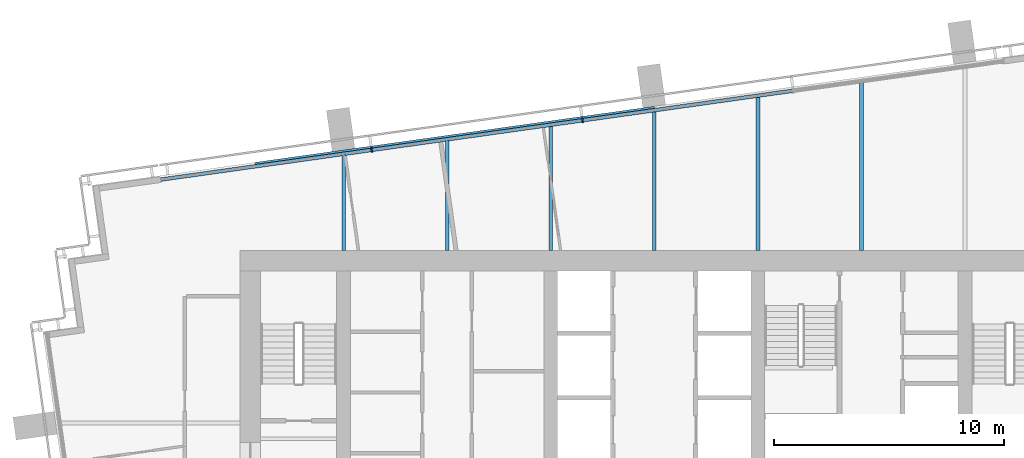
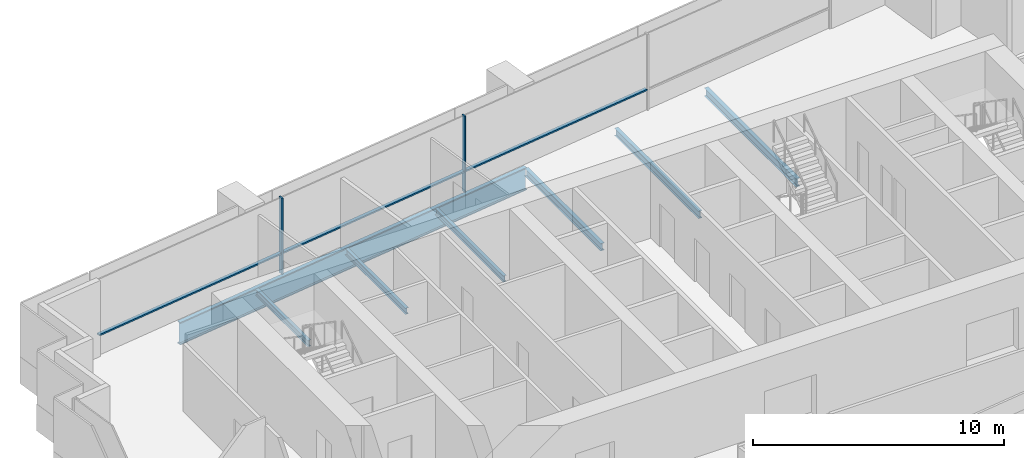
# One storey, part 5 of 15: 7 beams, 5 members, 1 element without a shape of its own.
"""IFC4 building model written with IfcOpenShell, lengths in metres."""

from ifc_helpers import new_model, si_unit, direction, frame, origin, origin_2d, place, context, subcontext, project, spatial, rectangle, i_section, extrude, material, layer, layer_set, material_profile, profile_set, type_object, element, aggregate, save


model = new_model("IFC4")

# Units and contexts
model_context = context("Model", 3, precision=1e-05, world=origin(), true_north=direction((0.0, 1.0)))
body_context = subcontext(model_context, "Body", "Model", "MODEL_VIEW")
ifc_project = project(units=[si_unit("LENGTHUNIT", "METRE"), si_unit("AREAUNIT", "SQUARE_METRE"), si_unit("VOLUMEUNIT", "CUBIC_METRE"), si_unit("PLANEANGLEUNIT", "RADIAN"), si_unit("MASSUNIT", "GRAM", prefix="KILO")], contexts=[model_context])

# Site, building, storey
site_placement = place(None, origin())
site = spatial("IfcSite", under=ifc_project, at=site_placement, CompositionType="ELEMENT")
building_placement = place(site_placement, origin())
building = spatial("IfcBuilding", under=site, at=building_placement, Name="Rattan Terrace Tower", CompositionType="ELEMENT")
storey_placement = place(building_placement, frame((0.0, 0.0, 262.89990234375)))
storey = spatial("IfcBuildingStorey", under=building, at=storey_placement, Name="L60", CompositionType="ELEMENT", Elevation=262.89990234375)

# Beams
ifc_material_1 = material(Name="Steel S460", Category="steel")
ifc_material_profile_1 = material_profile(ifc_material_1, i_section(OverallWidth=0.179931640625, OverallDepth=1.10009765625, WebThickness=0.01611328125, FlangeThickness=0.050048828125, at=origin_2d()), Name="PG 1100x180-16-50")
ifc_profile_set_1 = profile_set([ifc_material_profile_1], Name="Steel S460")
beam_type_1 = type_object("IfcBeamType", Name="Frame edge girder PG 1100x180-16-50", PredefinedType="SPANDREL", material=ifc_profile_set_1)
beam_1_placement = place(storey_placement, frame((-17.347900390625, 11.22900390625, -0.75), z_axis=(0.990275473288, 0.139120404699, 0.0), x_axis=(-0.139120404699, 0.990275473288, 0.0)))
element("IfcBeam", 1, at=beam_1_placement, inside=storey, type_object=beam_type_1, Name="gdr-L60-005", PredefinedType="SPANDREL", context=body_context, shape_type="SweptSolid", body=[
    extrude(i_section(OverallWidth=0.179931640625, OverallDepth=1.10009765625, WebThickness=0.01611328125, FlangeThickness=0.050048828125, at=origin_2d()), origin(), (0.0, 0.0, 1.0), 17.53125),
])
ifc_material_2 = material(Name="Steel S355", Category="steel")
ifc_material_profile_2 = material_profile(ifc_material_2, i_section(OverallWidth=0.14990234375, OverallDepth=0.300048828125, WebThickness=0.007080078125, FlangeThickness=0.0107421875, FilletRadius=0.014892578125, at=origin_2d()), Name="IPE 300")
ifc_profile_set_2 = profile_set([ifc_material_profile_2], Name="Steel S355")
beam_type_2 = type_object("IfcBeamType", Name="Frame floor beam IPE 300", PredefinedType="JOIST", material=ifc_profile_set_2)
beam_2_placement = place(storey_placement, frame((-13.5, 7.5, -0.349853515625), z_axis=(0.0, 1.0, 0.0), x_axis=(-1.0, 0.0, 0.0)))
element("IfcBeam", 2, at=beam_2_placement, inside=storey, type_object=beam_type_2, Name="bm-L60-015", PredefinedType="JOIST", context=body_context, shape_type="SweptSolid", body=[
    extrude(i_section(OverallWidth=0.14990234375, OverallDepth=0.300048828125, WebThickness=0.007080078125, FlangeThickness=0.0107421875, FilletRadius=0.014892578125, at=origin_2d()), origin(), (0.0, 0.0, 1.0), 4.16796875),
])
beam_3_placement = place(storey_placement, frame((-9.0, 7.5, -0.349853515625), z_axis=(0.0, 1.0, 0.0), x_axis=(-1.0, 0.0, 0.0)))
element("IfcBeam", 3, at=beam_3_placement, inside=storey, type_object=beam_type_2, Name="bm-L60-016", PredefinedType="JOIST", context=body_context, shape_type="SweptSolid", body=[
    extrude(i_section(OverallWidth=0.14990234375, OverallDepth=0.300048828125, WebThickness=0.007080078125, FlangeThickness=0.0107421875, FilletRadius=0.014892578125, at=origin_2d()), origin(), (0.0, 0.0, 1.0), 4.800048828125),
])
beam_4_placement = place(storey_placement, frame((-4.5, 7.5, -0.349853515625), z_axis=(0.0, 1.0, 0.0), x_axis=(-1.0, 0.0, 0.0)))
element("IfcBeam", 4, at=beam_4_placement, inside=storey, type_object=beam_type_2, Name="bm-L60-017", PredefinedType="JOIST", context=body_context, shape_type="SweptSolid", body=[
    extrude(i_section(OverallWidth=0.14990234375, OverallDepth=0.300048828125, WebThickness=0.007080078125, FlangeThickness=0.0107421875, FilletRadius=0.014892578125, at=origin_2d()), origin(), (0.0, 0.0, 1.0), 5.43310546875),
])
ifc_material_3 = material(Name="Steel S355", Category="steel")
ifc_material_profile_3 = material_profile(ifc_material_3, i_section(OverallWidth=0.169921875, OverallDepth=0.360107421875, WebThickness=0.008056640625, FlangeThickness=0.0126953125, FilletRadius=0.01806640625, at=origin_2d()), Name="IPE 360")
ifc_profile_set_3 = profile_set([ifc_material_profile_3], Name="Steel S355")
beam_type_3 = type_object("IfcBeamType", Name="Frame floor beam IPE 360", PredefinedType="JOIST", material=ifc_profile_set_3)
beam_5_placement = place(storey_placement, frame((0.0, 7.5, -0.3798828125), z_axis=(0.0, 1.0, 0.0), x_axis=(-1.0, 0.0, 0.0)))
element("IfcBeam", 5, at=beam_5_placement, inside=storey, type_object=beam_type_3, Name="bm-L60-018", PredefinedType="JOIST", context=body_context, shape_type="SweptSolid", body=[
    extrude(i_section(OverallWidth=0.169921875, OverallDepth=0.360107421875, WebThickness=0.008056640625, FlangeThickness=0.0126953125, FilletRadius=0.01806640625, at=origin_2d()), origin(), (0.0, 0.0, 1.0), 6.06298828125),
])
beam_6_placement = place(storey_placement, frame((4.5, 7.5, -0.3798828125), z_axis=(0.0, 1.0, 0.0), x_axis=(-1.0, 0.0, 0.0)))
element("IfcBeam", 6, at=beam_6_placement, inside=storey, type_object=beam_type_3, Name="bm-L60-019", PredefinedType="JOIST", context=body_context, shape_type="SweptSolid", body=[
    extrude(i_section(OverallWidth=0.169921875, OverallDepth=0.360107421875, WebThickness=0.008056640625, FlangeThickness=0.0126953125, FilletRadius=0.01806640625, at=origin_2d()), origin(), (0.0, 0.0, 1.0), 6.696044921875),
])
ifc_material_4 = material(Name="Steel S355", Category="steel")
ifc_material_profile_4 = material_profile(ifc_material_4, i_section(OverallWidth=0.179931640625, OverallDepth=0.39990234375, WebThickness=0.008544921875, FlangeThickness=0.013427734375, FilletRadius=0.02099609375, at=origin_2d()), Name="IPE 400")
ifc_profile_set_4 = profile_set([ifc_material_profile_4], Name="Steel S355")
beam_type_4 = type_object("IfcBeamType", Name="Frame floor beam IPE 400", PredefinedType="JOIST", material=ifc_profile_set_4)
beam_7_placement = place(storey_placement, frame((9.0, 7.5, -0.39990234375), z_axis=(0.0, 1.0, 0.0), x_axis=(-1.0, 0.0, 0.0)))
element("IfcBeam", 7, at=beam_7_placement, inside=storey, type_object=beam_type_4, Name="bm-L60-020", PredefinedType="JOIST", context=body_context, shape_type="SweptSolid", body=[
    extrude(i_section(OverallWidth=0.179931640625, OverallDepth=0.39990234375, WebThickness=0.008544921875, FlangeThickness=0.013427734375, FilletRadius=0.02099609375, at=origin_2d()), origin(), (0.0, 0.0, 1.0), 7.327880859375),
])

# Curtain wall, members
ifc_material_5 = material(Name="Aluminium and laminated glass", Category="aluminium")
ifc_layer = layer(ifc_material_5, 0.199951171875)
ifc_layer_set = layer_set([ifc_layer], Name="High-Zone Unitised Curtain Wall")
curtain_wall_type = type_object("IfcCurtainWallType", Name="High-Zone Unitised Curtain Wall", PredefinedType="NOTDEFINED", material=ifc_layer_set)
curtain_wall_placement = place(storey_placement, origin())
curtain_wall = element("IfcCurtainWall", 8, at=curtain_wall_placement, inside=storey, type_object=curtain_wall_type, Name="High-zone curtain wall L60-2", PredefinedType="NOTDEFINED")
ifc_material_6 = material(Name="Aluminium", Category="aluminium")
ifc_material_profile_5 = material_profile(ifc_material_6, rectangle(XDim=0.070068359375, YDim=0.199951171875, at=origin_2d()), Name="Aluminium 70x200")
ifc_profile_set_5 = profile_set([ifc_material_profile_5], Name="Aluminium")
member_type_1 = type_object("IfcMemberType", Name="High-Zone CW Mullion 70x200", PredefinedType="MULLION", material=ifc_profile_set_5)
member_1_placement = place(storey_placement, frame((-3.1181640625, 13.14697265625, 0.0), z_axis=(0.0, 0.0, 1.0), x_axis=(-0.990265894013, -0.139188574079, 0.0)))
member_1 = element("IfcMember", 9, at=member_1_placement, type_object=member_type_1, Name="Mullion cwl-L60-002.3", PredefinedType="MULLION", context=body_context, shape_type="SweptSolid", body=[
    extrude(rectangle(XDim=0.070068359375, YDim=0.199951171875, at=origin_2d()), origin(), (0.0, 0.0, 1.0), 3.7001953125),
])
member_2_placement = place(storey_placement, frame((-12.27734375, 11.859619140625, 0.0), z_axis=(0.0, 0.0, 1.0), x_axis=(-0.990265894013, -0.139188574079, 0.0)))
member_2 = element("IfcMember", 10, at=member_2_placement, type_object=member_type_1, Name="Mullion cwl-L60-002.4", PredefinedType="MULLION", context=body_context, shape_type="SweptSolid", body=[
    extrude(rectangle(XDim=0.070068359375, YDim=0.199951171875, at=origin_2d()), origin(), (0.0, 0.0, 1.0), 3.7001953125),
])
ifc_material_7 = material(Name="Aluminium", Category="aluminium")
ifc_material_profile_6 = material_profile(ifc_material_7, rectangle(XDim=0.159912109375, YDim=0.070068359375, at=origin_2d()), Name="Aluminium 160x70")
ifc_profile_set_6 = profile_set([ifc_material_profile_6], Name="Aluminium")
member_type_2 = type_object("IfcMemberType", Name="High-Zone CW Transom 160x70", PredefinedType="USERDEFINED", material=ifc_profile_set_6)
member_3_placement = place(storey_placement, frame((6.006103515625, 14.429443359375, 1.0), z_axis=(-0.990266147156, -0.139186773067, 0.0), x_axis=(0.139186773067, -0.990266147156, 0.0)))
member_3 = element("IfcMember", 11, at=member_3_placement, type_object=member_type_2, Name="Transom cwl-L60-002.2", ObjectType="TRANSOM", PredefinedType="USERDEFINED", context=body_context, shape_type="SweptSolid", body=[
    extrude(rectangle(XDim=0.159912109375, YDim=0.070068359375, at=origin_2d()), origin(), (0.0, 0.0, 1.0), 9.178955078125),
])
member_4_placement = place(storey_placement, frame((-3.15283203125, 13.14208984375, 1.0), z_axis=(-0.990266662415, -0.139183107123, 0.0), x_axis=(0.139183107123, -0.990266662415, 0.0)))
member_4 = element("IfcMember", 12, at=member_4_placement, type_object=member_type_2, Name="Transom cwl-L60-002.3", ObjectType="TRANSOM", PredefinedType="USERDEFINED", context=body_context, shape_type="SweptSolid", body=[
    extrude(rectangle(XDim=0.159912109375, YDim=0.070068359375, at=origin_2d()), origin(), (0.0, 0.0, 1.0), 9.17919921875),
])
member_5_placement = place(storey_placement, frame((-12.31201171875, 11.854736328125, 1.0), z_axis=(-0.990263767768, -0.139203700545, 0.0), x_axis=(0.139203700545, -0.990263767768, 0.0)))
member_5 = element("IfcMember", 13, at=member_5_placement, type_object=member_type_2, Name="Transom cwl-L60-002.4", ObjectType="TRANSOM", PredefinedType="USERDEFINED", context=body_context, shape_type="SweptSolid", body=[
    extrude(rectangle(XDim=0.159912109375, YDim=0.070068359375, at=origin_2d()), origin(), (0.0, 0.0, 1.0), 9.21826171875),
])
aggregate(curtain_wall, [member_1, member_2, member_3, member_4, member_5])

save(model, "model.ifc")
